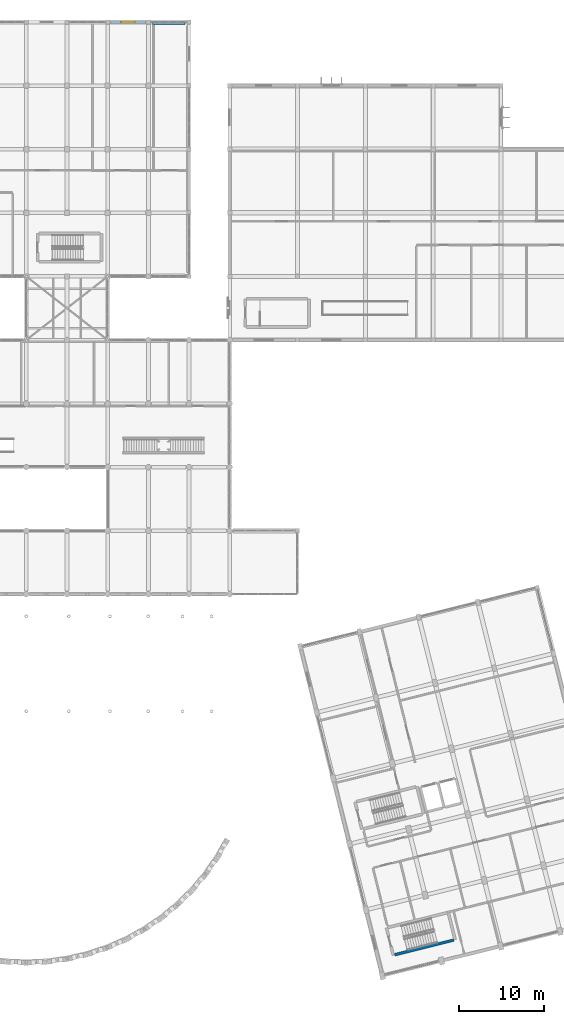
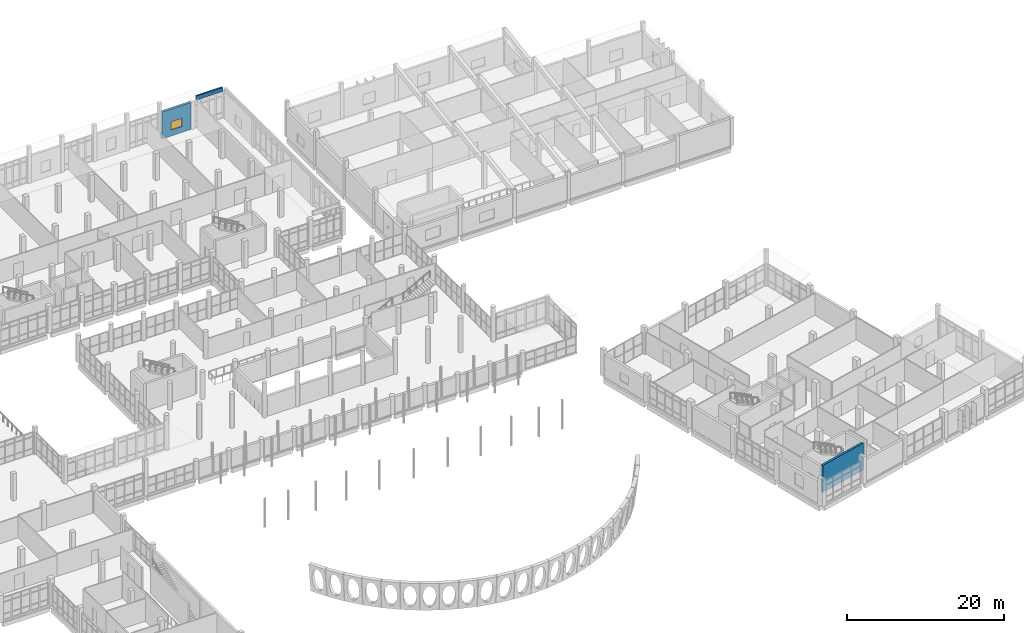
# One storey, part 147 of 164: 3 walls, 1 window, 1 opening.
"""IFC4 building model written with IfcOpenShell, lengths in metres."""

from ifc_helpers import new_model, si_unit, direction, frame, frame_2d, origin, place, context, subcontext, project, spatial, rectangle, extrude, material, layer, layer_set, type_object, element, fill, save


model = new_model("IFC4")

# Units and contexts
model_context = context("Model", 3, precision=1e-05, world=origin(), true_north=direction((0.0, 1.0)))
body_context = subcontext(model_context, "Body", "Model", "MODEL_VIEW")
ifc_project = project(units=[si_unit("LENGTHUNIT", "METRE"), si_unit("AREAUNIT", "SQUARE_METRE"), si_unit("VOLUMEUNIT", "CUBIC_METRE"), si_unit("PLANEANGLEUNIT", "RADIAN"), si_unit("MASSUNIT", "GRAM", prefix="KILO")], contexts=[model_context])

# Site, building, storey
site_placement = place(None, origin())
site = spatial("IfcSite", under=ifc_project, at=site_placement, CompositionType="ELEMENT")
building_placement = place(site_placement, origin())
building = spatial("IfcBuilding", under=site, at=building_placement, Name="Mawjan Specialist Oncology Clinic", CompositionType="ELEMENT")
storey_placement = place(building_placement, frame((0.0, 0.0, 5.0)))
storey = spatial("IfcBuildingStorey", under=building, at=storey_placement, Name="L01", CompositionType="ELEMENT", Elevation=5.0)

# Wall, opening, window
ifc_material_1 = material(Name="Precast concrete C40/50", Category="concrete")
ifc_layer_1 = layer(ifc_material_1, 0.35009765625, Name="Precast concrete C40/50", Category="concrete")
ifc_layer_set_1 = layer_set([ifc_layer_1], Name="Precast concrete C40/50")
wall_type_1 = type_object("IfcWallType", Name="EW-350", PredefinedType="SOLIDWALL", material=ifc_layer_set_1)
wall_1_placement = place(storey_placement, frame((93.85009765625, 113.300048828125, 0.0), z_axis=(0.0, 0.0, 1.0), x_axis=(1.0, 0.0, 0.0)))
wall_1 = element("IfcWall", 1, at=wall_1_placement, inside=storey, type_object=wall_type_1, Name="L01 Coral-Limestone Exterior Wall EW-L01-088", PredefinedType="SOLIDWALL", context=body_context, shape_type="SweptSolid", body=[
    extrude(rectangle(XDim=4.2998046875, YDim=0.35009765625, at=frame_2d((2.14990234375, 0.0))), origin(), (0.0, 0.0, 1.0), 4.169921875),
])
opening_placement = place(wall_1_placement, frame((1.35009765625, 0.0, 0.89990234375)))
opening = element("IfcOpeningElement", 2, at=opening_placement, cuts=wall_1, Name="Opening WN-17", PredefinedType="OPENING", context=body_context, shape_type="SweptSolid", body=[
    extrude(rectangle(XDim=1.60009765625, YDim=1.300048828125, at=frame_2d((0.800048828125, 0.64990234375))), frame((0.0, 0.18701171875, 0.0), z_axis=(0.0, -1.0, 0.0), x_axis=(1.0, 0.0, 0.0)), (0.0, 0.0, 1.0), 0.3740234375),
])
ifc_material_2 = material(Name="Thermally broken low-E clinical aluminium window", Category="aluminium")
window_type = type_object("IfcWindowType", Name="WN-17", PartitioningType="DOUBLE_PANEL_VERTICAL", PredefinedType="WINDOW", material=ifc_material_2)
window_placement = place(opening_placement, origin())
window = element("IfcWindow", 3, at=window_placement, inside=storey, type_object=window_type, Name="L01 Clinical Low-E Window 017", OverallHeight=1.300048828125, OverallWidth=1.60009765625, PartitioningType="DOUBLE_PANEL_VERTICAL", PredefinedType="WINDOW", context=body_context, shape_type="SweptSolid", body=[
    extrude(rectangle(XDim=1.60009765625, YDim=1.300048828125, at=frame_2d((0.800048828125, 0.64990234375))), frame((0.0, 0.030029296875, 0.0), z_axis=(0.0, -1.0, 0.0), x_axis=(1.0, 0.0, 0.0)), (0.0, 0.0, 1.0), 0.06005859375),
])
fill(opening, window)

# Walls
ifc_material_3 = material(Name="Precast concrete C40/50", Category="concrete")
ifc_layer_2 = layer(ifc_material_3, 0.239990234375, Name="Precast concrete C40/50", Category="concrete")
ifc_layer_set_2 = layer_set([ifc_layer_2], Name="Precast concrete C40/50")
wall_type_2 = type_object("IfcWallType", Name="PAR-240", PredefinedType="PARAPET", material=ifc_layer_set_2)
wall_2_placement = place(storey_placement, frame((98.8798828125, 113.1201171875, 4.39990234375), z_axis=(0.0, 0.0, 1.0), x_axis=(1.0, 0.0, 0.0)))
element("IfcWall", 4, at=wall_2_placement, inside=storey, type_object=wall_type_2, Name="L01 Roof Parapet Upstand 14", PredefinedType="PARAPET", context=body_context, shape_type="SweptSolid", body=[
    extrude(rectangle(XDim=3.840087890625, YDim=0.239990234375, at=frame_2d((1.919921875, 0.0))), origin(), (0.0, 0.0, 1.0), 0.60009765625),
])
ifc_material_4 = material(Name="Concrete C45/55", Category="concrete")
ifc_layer_3 = layer(ifc_material_4, 0.320068359375, Name="Concrete C45/55", Category="concrete")
ifc_layer_set_3 = layer_set([ifc_layer_3], Name="Concrete C45/55")
wall_type_3 = type_object("IfcWallType", Name="SW-350", PredefinedType="SHEAR", material=ifc_layer_set_3)
wall_3_placement = place(storey_placement, frame((127.451904296875, 3.264404296875, 0.0), z_axis=(0.0, 0.0, 1.0), x_axis=(0.970294108333, 0.241928384724, 0.0)))
element("IfcWall", 5, at=wall_3_placement, inside=storey, type_object=wall_type_3, Name="L01 Core K6 Stair Shear Wall 1", PredefinedType="SHEAR", context=body_context, shape_type="SweptSolid", body=[
    extrude(rectangle(XDim=7.190185546875, YDim=0.320068359375, at=frame_2d((3.59521484375, 0.0))), origin(), (0.0, 0.0, 1.0), 4.199951171875),
])

save(model, "model.ifc")
